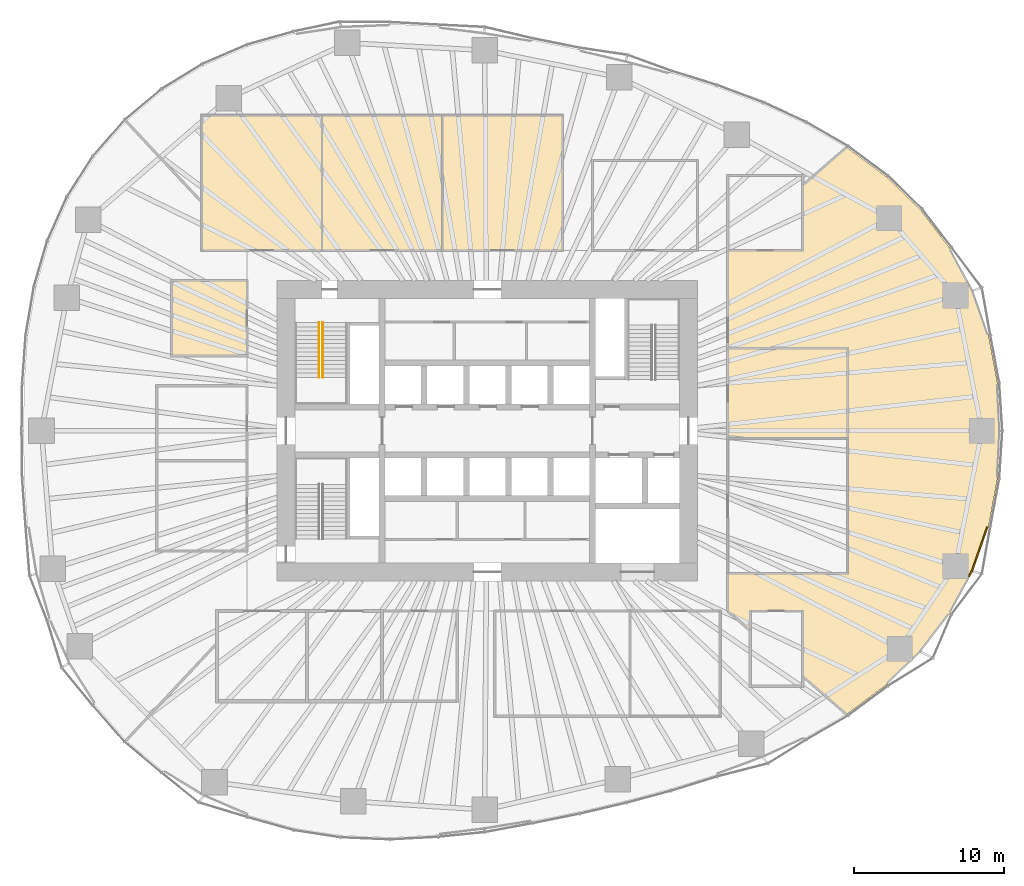
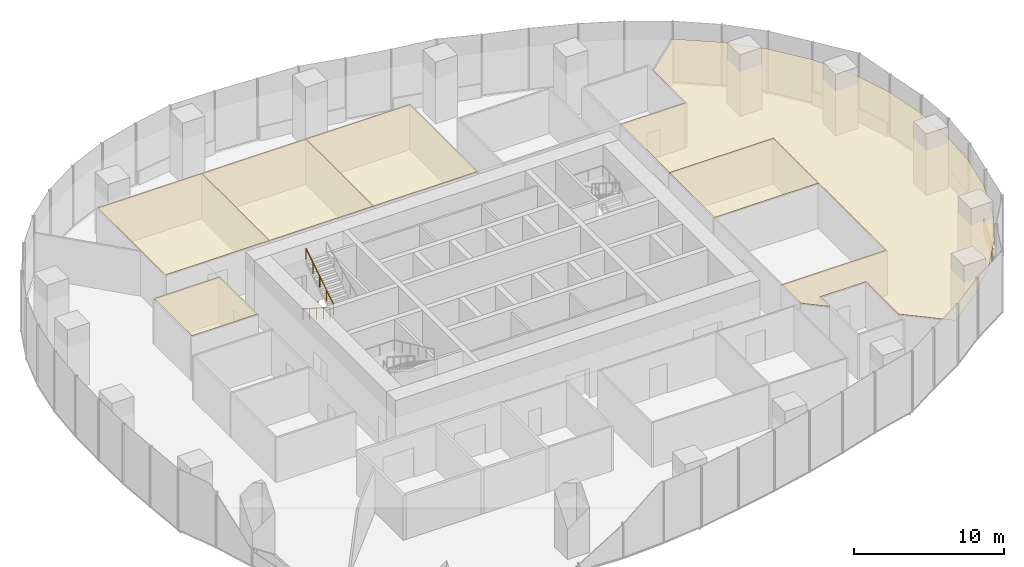
# One storey, part 19 of 20: 8 coverings, 2 railings.
"""IFC4 building model written with IfcOpenShell, lengths in metres."""

from ifc_helpers import new_model, si_unit, direction, frame, origin, origin_2d, place, context, subcontext, project, spatial, polyline, rectangle, circle, outline, extrude, material, layer, layer_set, type_object, element, save


model = new_model("IFC4")

# Units and contexts
model_context = context("Model", 3, precision=1e-05, world=origin(), true_north=direction((0.0, 1.0)))
body_context = subcontext(model_context, "Body", "Model", "MODEL_VIEW")
ifc_project = project(units=[si_unit("LENGTHUNIT", "METRE"), si_unit("AREAUNIT", "SQUARE_METRE"), si_unit("VOLUMEUNIT", "CUBIC_METRE"), si_unit("PLANEANGLEUNIT", "RADIAN"), si_unit("MASSUNIT", "GRAM", prefix="KILO")], contexts=[model_context])

# Site, building, storey
site_placement = place(None, origin())
site = spatial("IfcSite", under=ifc_project, at=site_placement, CompositionType="ELEMENT")
building_placement = place(site_placement, origin())
building = spatial("IfcBuilding", under=site, at=building_placement, Name="Ghaith Harvest Tower", CompositionType="ELEMENT")
storey_placement = place(building_placement, frame((0.0, 0.0, 65.0)))
storey = spatial("IfcBuildingStorey", under=building, at=storey_placement, Name="L13", CompositionType="ELEMENT", Elevation=65.0)

# Coverings
ifc_material_1 = material(Name="Mineral fibre ceiling tile", Category="gypsum")
ifc_layer_1 = layer(ifc_material_1, 0.02490234375)
ifc_layer_set_1 = layer_set([ifc_layer_1], Name="CEILING C2")
covering_type_1 = type_object("IfcCoveringType", Name="CEILING C2", PredefinedType="CEILING", material=ifc_layer_set_1)
covering_1_placement = place(storey_placement, frame((0.0, 0.0, 3.60009765625)))
element("IfcCovering", 1, at=covering_1_placement, inside=storey, type_object=covering_type_1, Name="Ceiling L13-01", PredefinedType="CEILING", context=body_context, shape_type="SweptSolid", body=[
    extrude(outline(polyline([(-19.0, 12.0), (-11.0, 12.0), (-11.0, 21.0), (-19.0, 21.0), (-19.0, 12.0)])), origin(), (0.0, 0.0, 1.0), 0.02490234375),
])
covering_2_placement = place(storey_placement, frame((0.0, 0.0, 3.60009765625)))
element("IfcCovering", 2, at=covering_2_placement, inside=storey, type_object=covering_type_1, Name="Ceiling L13-02", PredefinedType="CEILING", context=body_context, shape_type="SweptSolid", body=[
    extrude(outline(polyline([(-11.0, 12.0), (-3.0, 12.0), (-3.0, 21.0), (-11.0, 21.0), (-11.0, 12.0)])), origin(), (0.0, 0.0, 1.0), 0.02490234375),
])
covering_3_placement = place(storey_placement, frame((0.0, 0.0, 3.60009765625)))
element("IfcCovering", 3, at=covering_3_placement, inside=storey, type_object=covering_type_1, Name="Ceiling L13-03", PredefinedType="CEILING", context=body_context, shape_type="SweptSolid", body=[
    extrude(outline(polyline([(-3.0, 12.0), (5.0, 12.0), (5.0, 21.0), (-3.0, 21.0), (-3.0, 12.0)])), origin(), (0.0, 0.0, 1.0), 0.02490234375),
])
covering_4_placement = place(storey_placement, frame((0.0, 0.0, 3.60009765625)))
element("IfcCovering", 4, at=covering_4_placement, inside=storey, type_object=covering_type_1, Name="Ceiling L13-06", PredefinedType="CEILING", context=body_context, shape_type="SweptSolid", body=[
    extrude(outline(polyline([(16.0, -0.5), (24.0, -0.5), (24.0, 5.5), (16.0, 5.5), (16.0, -0.5)])), origin(), (0.0, 0.0, 1.0), 0.02490234375),
])
covering_5_placement = place(storey_placement, frame((0.0, 0.0, 3.60009765625)))
element("IfcCovering", 5, at=covering_5_placement, inside=storey, type_object=covering_type_1, Name="Ceiling L13-16", PredefinedType="CEILING", context=body_context, shape_type="SweptSolid", body=[
    extrude(outline(polyline([(-21.0, 5.0), (-16.0, 5.0), (-16.0, 10.0), (-21.0, 10.0), (-21.0, 5.0)])), origin(), (0.0, 0.0, 1.0), 0.02490234375),
])
covering_6_placement = place(storey_placement, frame((0.0, 0.0, 3.60009765625)))
element("IfcCovering", 6, at=covering_6_placement, inside=storey, type_object=covering_type_1, Name="Ceiling L13-E1", PredefinedType="CEILING", context=body_context, shape_type="SweptSolid", body=[
    extrude(outline(polyline([(26.572509765625, 16.9111328125), (28.840087890625, 14.708984375), (30.78515625, 12.1708984375), (32.318359375, 9.3408203125), (33.37158203125, 6.333984375), (33.95849609375, 3.194091796875), (34.125, 0.0), (33.95849609375, -3.194091796875), (33.37158203125, -6.333984375), (32.318359375, -9.3408203125), (30.78515625, -12.1708984375), (28.840087890625, -14.708984375), (26.572509765625, -16.9111328125), (23.92431640625, -18.873046875), (21.0, -16.336669921875), (21.0, -12.0), (17.5, -12.0), (17.5, -13.301025390625), (16.0, -12.0), (16.0, -9.5), (24.0, -9.5), (24.0, 5.5), (16.0, 5.5), (16.0, 12.0), (21.0, 12.0), (21.0, 16.336669921875), (23.92431640625, 18.873046875), (26.572509765625, 16.9111328125)])), origin(), (0.0, 0.0, 1.0), 0.02490234375),
])

# Railings
ifc_material_2 = material(Name="Steel, black powder-coated", Category="steel")
railing_type = type_object("IfcRailingType", Name="HANDRAIL HR1", PredefinedType="HANDRAIL", material=ifc_material_2)
railing_1_placement = place(storey_placement, frame((-11.199951171875, 7.199951171875, 0.178466796875)))
element("IfcRailing", 7, at=railing_1_placement, inside=storey, type_object=railing_type, Name="Handrail HR1 stair ST1 L13 flight 1 inner", PredefinedType="HANDRAIL", context=body_context, shape_type="SweptSolid", body=[
    extrude(circle(Radius=0.02392578125, at=origin_2d()), frame((0.0, 0.0, 0.8759765625), z_axis=(0.0, -0.843111507901, 0.53773877045), x_axis=(1.0, 0.0, 0.0)), (0.0, 0.0, 1.0), 4.317138671875),
    extrude(circle(Radius=0.02099609375, at=origin_2d()), origin(), (0.0, 0.0, 1.0), 0.851806640625),
    extrude(circle(Radius=0.02099609375, at=origin_2d()), frame((0.0, -0.909912109375, 0.580322265625)), (0.0, 0.0, 1.0), 0.851806640625),
    extrude(circle(Radius=0.02099609375, at=origin_2d()), frame((0.0, -1.81982421875, 1.16064453125)), (0.0, 0.0, 1.0), 0.851806640625),
    extrude(circle(Radius=0.02099609375, at=origin_2d()), frame((0.0, -2.72998046875, 1.7412109375)), (0.0, 0.0, 1.0), 0.851806640625),
    extrude(circle(Radius=0.02099609375, at=origin_2d()), frame((0.0, -3.639892578125, 2.321533203125)), (0.0, 0.0, 1.0), 0.851806640625),
])
railing_2_placement = place(storey_placement, frame((-10.949951171875, 3.56005859375, 2.678466796875)))
element("IfcRailing", 8, at=railing_2_placement, inside=storey, type_object=railing_type, Name="Handrail HR1 stair ST1 L13 flight 2 inner", PredefinedType="HANDRAIL", context=body_context, shape_type="SweptSolid", body=[
    extrude(circle(Radius=0.02392578125, at=origin_2d()), frame((0.0, 0.0, 0.8759765625), z_axis=(0.0, 0.843111507901, 0.53773877045), x_axis=(-1.0, 0.0, 0.0)), (0.0, 0.0, 1.0), 4.317138671875),
    extrude(circle(Radius=0.02099609375, at=origin_2d()), origin(), (0.0, 0.0, 1.0), 0.851806640625),
    extrude(circle(Radius=0.02099609375, at=origin_2d()), frame((0.0, 0.909912109375, 0.580322265625)), (0.0, 0.0, 1.0), 0.851806640625),
    extrude(circle(Radius=0.02099609375, at=origin_2d()), frame((0.0, 1.81982421875, 1.16064453125)), (0.0, 0.0, 1.0), 0.851806640625),
    extrude(circle(Radius=0.02099609375, at=origin_2d()), frame((0.0, 2.72998046875, 1.7412109375)), (0.0, 0.0, 1.0), 0.851806640625),
    extrude(circle(Radius=0.02099609375, at=origin_2d()), frame((0.0, 3.639892578125, 2.321533203125)), (0.0, 0.0, 1.0), 0.851806640625),
])

# Coverings
ifc_material_3 = material(Name="Insulated aluminium spandrel panel on steel framing", Category="steel")
ifc_layer_2 = layer(ifc_material_3, 0.10009765625)
ifc_layer_set_2 = layer_set([ifc_layer_2], Name="SLAB EDGE UPSTAND 1100x100")
covering_type_2 = type_object("IfcCoveringType", Name="SLAB EDGE UPSTAND 1100x100", PredefinedType="CLADDING", material=ifc_layer_set_2)
covering_7_placement = place(storey_placement, frame((32.172119140625, -9.505615234375, 0.0), z_axis=(0.0, 0.0, 1.0), x_axis=(0.4763492928, 0.879256135178, 0.0)))
element("IfcCovering", 9, at=covering_7_placement, inside=storey, type_object=covering_type_2, Name="Slab edge upstand 3 bay 19 L13", PredefinedType="CLADDING", context=body_context, shape_type="SweptSolid", body=[
    extrude(rectangle(XDim=0.42919921875, YDim=0.10009765625, at=origin_2d()), origin(), (0.0, 0.0, 1.0), 1.10009765625),
])
covering_8_placement = place(storey_placement, frame((32.78125, -7.867919921875, 0.0), z_axis=(0.0, 0.0, 1.0), x_axis=(0.330597697302, 0.943771774604, 0.0)))
element("IfcCovering", 10, at=covering_8_placement, inside=storey, type_object=covering_type_2, Name="Slab edge upstand 1 bay 20 L13", PredefinedType="CLADDING", context=body_context, shape_type="SweptSolid", body=[
    extrude(rectangle(XDim=3.0859375, YDim=0.10009765625, at=origin_2d()), origin(), (0.0, 0.0, 1.0), 1.10009765625),
])

save(model, "model.ifc")
